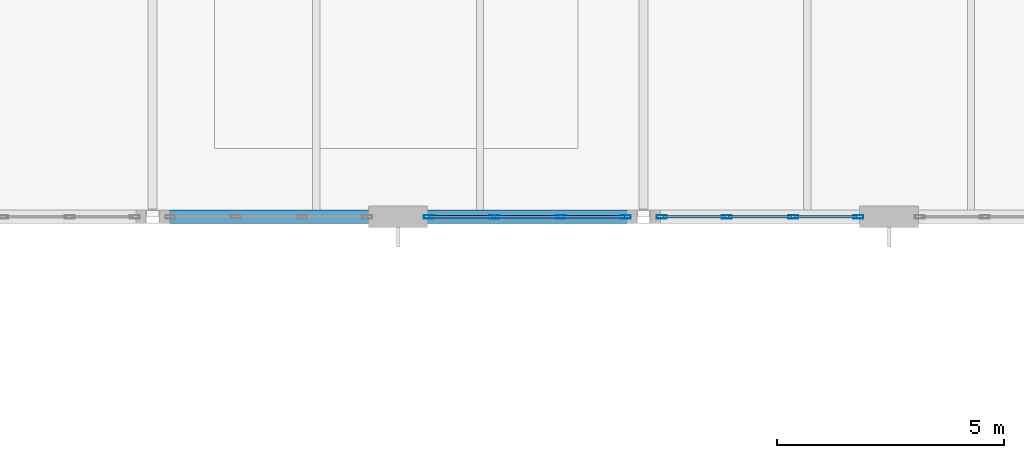
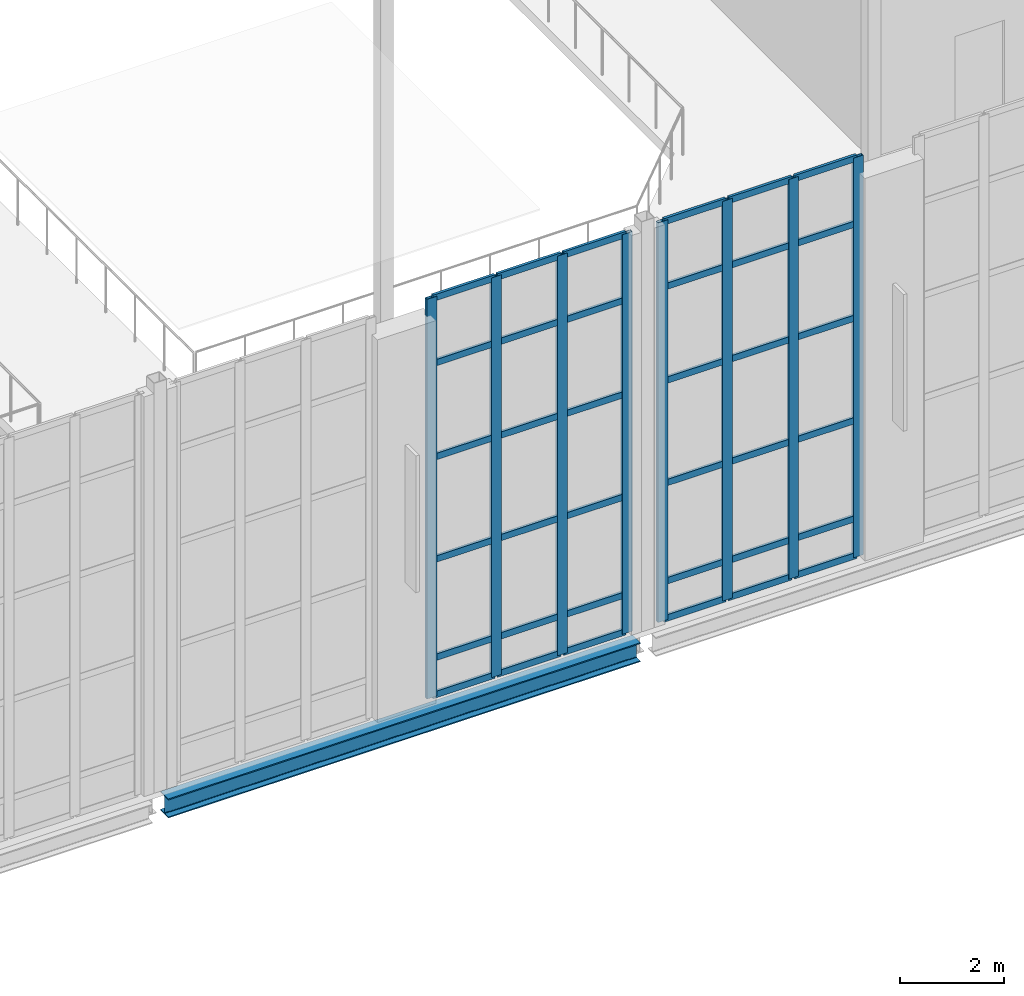
# One storey, part 30 of 100: 44 members, 1 beam, 2 elements without a shape of their own.
"""IFC4 building model written with IfcOpenShell, lengths in metres."""

from ifc_helpers import new_model, si_unit, direction, frame, origin, origin_2d, place, context, subcontext, project, spatial, hollow_rectangle, i_section, extrude, material, layer, layer_set, material_profile, profile_set, type_object, element, aggregate, save


model = new_model("IFC4")

# Units and contexts
model_context = context("Model", 3, precision=1e-05, world=origin(), true_north=direction((0.0, 1.0)))
body_context = subcontext(model_context, "Body", "Model", "MODEL_VIEW")
ifc_project = project(units=[si_unit("LENGTHUNIT", "METRE"), si_unit("AREAUNIT", "SQUARE_METRE"), si_unit("VOLUMEUNIT", "CUBIC_METRE"), si_unit("PLANEANGLEUNIT", "RADIAN"), si_unit("MASSUNIT", "GRAM", prefix="KILO")], contexts=[model_context])

# Site, building, storey
site_placement = place(None, origin())
site = spatial("IfcSite", under=ifc_project, at=site_placement, CompositionType="ELEMENT")
building_placement = place(site_placement, origin())
building = spatial("IfcBuilding", under=site, at=building_placement, Name="Tasgan Crest Museum", CompositionType="ELEMENT")
storey_placement = place(building_placement, frame((0.0, 0.0, 14.39990234375)))
storey = spatial("IfcBuildingStorey", under=building, at=storey_placement, Name="L03", CompositionType="ELEMENT", Elevation=14.39990234375)

# Beam
ifc_material_1 = material(Name="Steel S355J2", Category="steel")
ifc_material_profile_1 = material_profile(ifc_material_1, i_section(OverallWidth=0.300048828125, OverallDepth=0.449951171875, WebThickness=0.013916015625, FlangeThickness=0.02587890625, FilletRadius=0.027099609375, at=origin_2d()), Name="HEB 450")
ifc_profile_set_1 = profile_set([ifc_material_profile_1], Name="Steel S355J2")
beam_type = type_object("IfcBeamType", Name="BM-G-HEB450", PredefinedType="BEAM", material=ifc_profile_set_1)
beam_placement = place(storey_placement, frame((75.773681640625, 40.0, -0.46484375), z_axis=(1.0, 0.0, 0.0), x_axis=(0.0, 1.0, 0.0)))
element("IfcBeam", 1, at=beam_placement, inside=storey, type_object=beam_type, Name="Girder L03 E 75.6-86.4", PredefinedType="BEAM", context=body_context, shape_type="SweptSolid", body=[
    extrude(i_section(OverallWidth=0.300048828125, OverallDepth=0.449951171875, WebThickness=0.013916015625, FlangeThickness=0.02587890625, FilletRadius=0.027099609375, at=origin_2d()), origin(), (0.0, 0.0, 1.0), 10.45263671875),
])

# Curtain wall, members
ifc_material_2 = material(Name="Triple-Glazed Aluminium Curtain Wall", Category="aluminium")
ifc_layer = layer(ifc_material_2, 0.179931640625, Name="CW-DRUM-X-96")
ifc_layer_set = layer_set([ifc_layer], Name="Triple-Glazed Aluminium Curtain Wall")
curtain_wall_type = type_object("IfcCurtainWallType", Name="CW-DRUM-X-96", PredefinedType="NOTDEFINED", material=ifc_layer_set)
curtain_wall_1_placement = place(storey_placement, origin())
curtain_wall_1 = element("IfcCurtainWall", 2, at=curtain_wall_1_placement, inside=storey, type_object=curtain_wall_type, Name="Curtain wall L03 150", PredefinedType="NOTDEFINED")
ifc_material_3 = material(Name="Anodised Aluminium", Category="aluminium")
ifc_material_profile_2 = material_profile(ifc_material_3, hollow_rectangle(XDim=0.074951171875, YDim=0.219970703125, WallThickness=0.006103515625, at=origin_2d()), Name="ALU MULLION 220x75x6")
ifc_profile_set_2 = profile_set([ifc_material_profile_2], Name="Anodised Aluminium")
member_type_1 = type_object("IfcMemberType", Name="CW-MULLION-220", PredefinedType="MULLION", material=ifc_profile_set_2)
member_1_placement = place(storey_placement, frame((81.675048828125, 40.0, 0.0), z_axis=(0.0, 0.0, 1.0), x_axis=(0.0, 1.0, 0.0)))
member_1 = element("IfcMember", 3, at=member_1_placement, type_object=member_type_1, Name="CW06 mullion 1", PredefinedType="MULLION", context=body_context, shape_type="SweptSolid", body=[
    extrude(hollow_rectangle(XDim=0.074951171875, YDim=0.219970703125, WallThickness=0.006103515625, at=origin_2d()), origin(), (0.0, 0.0, 1.0), 9.360107421875),
])
member_2_placement = place(storey_placement, frame((83.1083984375, 40.0, 0.0), z_axis=(0.0, 0.0, 1.0), x_axis=(0.0, 1.0, 0.0)))
member_2 = element("IfcMember", 4, at=member_2_placement, type_object=member_type_1, Name="CW06 mullion 2", PredefinedType="MULLION", context=body_context, shape_type="SweptSolid", body=[
    extrude(hollow_rectangle(XDim=0.074951171875, YDim=0.219970703125, WallThickness=0.006103515625, at=origin_2d()), origin(), (0.0, 0.0, 1.0), 9.360107421875),
])
member_3_placement = place(storey_placement, frame((84.57177734375, 40.0, 0.0), z_axis=(0.0, 0.0, 1.0), x_axis=(0.0, 1.0, 0.0)))
member_3 = element("IfcMember", 5, at=member_3_placement, type_object=member_type_1, Name="CW06 mullion 3", PredefinedType="MULLION", context=body_context, shape_type="SweptSolid", body=[
    extrude(hollow_rectangle(XDim=0.074951171875, YDim=0.219970703125, WallThickness=0.006103515625, at=origin_2d()), origin(), (0.0, 0.0, 1.0), 9.360107421875),
])
member_4_placement = place(storey_placement, frame((86.0048828125, 40.0, 0.0), z_axis=(0.0, 0.0, 1.0), x_axis=(0.0, 1.0, 0.0)))
member_4 = element("IfcMember", 6, at=member_4_placement, type_object=member_type_1, Name="CW06 mullion 4", PredefinedType="MULLION", context=body_context, shape_type="SweptSolid", body=[
    extrude(hollow_rectangle(XDim=0.074951171875, YDim=0.219970703125, WallThickness=0.006103515625, at=origin_2d()), origin(), (0.0, 0.0, 1.0), 9.360107421875),
])

curtain_wall_2_placement = place(storey_placement, origin())
curtain_wall_2 = element("IfcCurtainWall", 7, at=curtain_wall_2_placement, inside=storey, type_object=curtain_wall_type, Name="Curtain wall L03 151", PredefinedType="NOTDEFINED")
member_5_placement = place(storey_placement, frame((86.794921875, 40.0, 0.0), z_axis=(0.0, 0.0, 1.0), x_axis=(0.0, 1.0, 0.0)))
member_5 = element("IfcMember", 8, at=member_5_placement, type_object=member_type_1, Name="CW06 mullion 1", PredefinedType="MULLION", context=body_context, shape_type="SweptSolid", body=[
    extrude(hollow_rectangle(XDim=0.074951171875, YDim=0.219970703125, WallThickness=0.006103515625, at=origin_2d()), origin(), (0.0, 0.0, 1.0), 9.360107421875),
])
member_6_placement = place(storey_placement, frame((88.228271484375, 40.0, 0.0), z_axis=(0.0, 0.0, 1.0), x_axis=(0.0, 1.0, 0.0)))
member_6 = element("IfcMember", 9, at=member_6_placement, type_object=member_type_1, Name="CW06 mullion 2", PredefinedType="MULLION", context=body_context, shape_type="SweptSolid", body=[
    extrude(hollow_rectangle(XDim=0.074951171875, YDim=0.219970703125, WallThickness=0.006103515625, at=origin_2d()), origin(), (0.0, 0.0, 1.0), 9.360107421875),
])
member_7_placement = place(storey_placement, frame((89.691650390625, 40.0, 0.0), z_axis=(0.0, 0.0, 1.0), x_axis=(0.0, 1.0, 0.0)))
member_7 = element("IfcMember", 10, at=member_7_placement, type_object=member_type_1, Name="CW06 mullion 3", PredefinedType="MULLION", context=body_context, shape_type="SweptSolid", body=[
    extrude(hollow_rectangle(XDim=0.074951171875, YDim=0.219970703125, WallThickness=0.006103515625, at=origin_2d()), origin(), (0.0, 0.0, 1.0), 9.360107421875),
])
member_8_placement = place(storey_placement, frame((91.125, 40.0, 0.0), z_axis=(0.0, 0.0, 1.0), x_axis=(0.0, 1.0, 0.0)))
member_8 = element("IfcMember", 11, at=member_8_placement, type_object=member_type_1, Name="CW06 mullion 4", PredefinedType="MULLION", context=body_context, shape_type="SweptSolid", body=[
    extrude(hollow_rectangle(XDim=0.074951171875, YDim=0.219970703125, WallThickness=0.006103515625, at=origin_2d()), origin(), (0.0, 0.0, 1.0), 9.360107421875),
])

# Member
ifc_material_4 = material(Name="Anodised Aluminium", Category="aluminium")
ifc_material_profile_3 = material_profile(ifc_material_4, hollow_rectangle(XDim=0.06005859375, YDim=0.14990234375, WallThickness=0.0048828125, at=origin_2d()), Name="ALU TRANSOM 150x60x5")
ifc_profile_set_3 = profile_set([ifc_material_profile_3], Name="Anodised Aluminium")
member_type_2 = type_object("IfcMemberType", Name="CW-TRANSOM-150", PredefinedType="USERDEFINED", material=ifc_profile_set_3)
member_9_placement = place(storey_placement, frame((81.705078125, 40.0, 0.030029296875), z_axis=(1.0, 0.0, 0.0), x_axis=(0.0, 1.0, 0.0)))
member_9 = element("IfcMember", 12, at=member_9_placement, type_object=member_type_2, Name="CW06 transom 1.1", ObjectType="TRANSOM", PredefinedType="USERDEFINED", context=body_context, shape_type="SweptSolid", body=[
    extrude(hollow_rectangle(XDim=0.06005859375, YDim=0.14990234375, WallThickness=0.0048828125, at=origin_2d()), origin(), (0.0, 0.0, 1.0), 1.373291015625),
])

member_10_placement = place(storey_placement, frame((81.705078125, 40.0, 0.900146484375), z_axis=(1.0, 0.0, 0.0), x_axis=(0.0, 1.0, 0.0)))
member_10 = element("IfcMember", 13, at=member_10_placement, type_object=member_type_2, Name="CW06 transom 1.2", ObjectType="TRANSOM", PredefinedType="USERDEFINED", context=body_context, shape_type="SweptSolid", body=[
    extrude(hollow_rectangle(XDim=0.06005859375, YDim=0.14990234375, WallThickness=0.0048828125, at=origin_2d()), origin(), (0.0, 0.0, 1.0), 1.373291015625),
])

member_11_placement = place(storey_placement, frame((81.705078125, 40.0, 3.2001953125), z_axis=(1.0, 0.0, 0.0), x_axis=(0.0, 1.0, 0.0)))
member_11 = element("IfcMember", 14, at=member_11_placement, type_object=member_type_2, Name="CW06 transom 1.3", ObjectType="TRANSOM", PredefinedType="USERDEFINED", context=body_context, shape_type="SweptSolid", body=[
    extrude(hollow_rectangle(XDim=0.06005859375, YDim=0.14990234375, WallThickness=0.0048828125, at=origin_2d()), origin(), (0.0, 0.0, 1.0), 1.373291015625),
])

member_12_placement = place(storey_placement, frame((81.705078125, 40.0, 5.60009765625), z_axis=(1.0, 0.0, 0.0), x_axis=(0.0, 1.0, 0.0)))
member_12 = element("IfcMember", 15, at=member_12_placement, type_object=member_type_2, Name="CW06 transom 1.4", ObjectType="TRANSOM", PredefinedType="USERDEFINED", context=body_context, shape_type="SweptSolid", body=[
    extrude(hollow_rectangle(XDim=0.06005859375, YDim=0.14990234375, WallThickness=0.0048828125, at=origin_2d()), origin(), (0.0, 0.0, 1.0), 1.373291015625),
])

member_13_placement = place(storey_placement, frame((81.705078125, 40.0, 7.800048828125), z_axis=(1.0, 0.0, 0.0), x_axis=(0.0, 1.0, 0.0)))
member_13 = element("IfcMember", 16, at=member_13_placement, type_object=member_type_2, Name="CW06 transom 1.5", ObjectType="TRANSOM", PredefinedType="USERDEFINED", context=body_context, shape_type="SweptSolid", body=[
    extrude(hollow_rectangle(XDim=0.06005859375, YDim=0.14990234375, WallThickness=0.0048828125, at=origin_2d()), origin(), (0.0, 0.0, 1.0), 1.373291015625),
])

member_14_placement = place(storey_placement, frame((81.705078125, 40.0, 9.330078125), z_axis=(1.0, 0.0, 0.0), x_axis=(0.0, 1.0, 0.0)))
member_14 = element("IfcMember", 17, at=member_14_placement, type_object=member_type_2, Name="CW06 transom 1.6", ObjectType="TRANSOM", PredefinedType="USERDEFINED", context=body_context, shape_type="SweptSolid", body=[
    extrude(hollow_rectangle(XDim=0.06005859375, YDim=0.14990234375, WallThickness=0.0048828125, at=origin_2d()), origin(), (0.0, 0.0, 1.0), 1.373291015625),
])

member_15_placement = place(storey_placement, frame((83.138427734375, 40.0, 0.030029296875), z_axis=(1.0, 0.0, 0.0), x_axis=(0.0, 1.0, 0.0)))
member_15 = element("IfcMember", 18, at=member_15_placement, type_object=member_type_2, Name="CW06 transom 2.1", ObjectType="TRANSOM", PredefinedType="USERDEFINED", context=body_context, shape_type="SweptSolid", body=[
    extrude(hollow_rectangle(XDim=0.06005859375, YDim=0.14990234375, WallThickness=0.0048828125, at=origin_2d()), origin(), (0.0, 0.0, 1.0), 1.4033203125),
])

member_16_placement = place(storey_placement, frame((83.138427734375, 40.0, 0.900146484375), z_axis=(1.0, 0.0, 0.0), x_axis=(0.0, 1.0, 0.0)))
member_16 = element("IfcMember", 19, at=member_16_placement, type_object=member_type_2, Name="CW06 transom 2.2", ObjectType="TRANSOM", PredefinedType="USERDEFINED", context=body_context, shape_type="SweptSolid", body=[
    extrude(hollow_rectangle(XDim=0.06005859375, YDim=0.14990234375, WallThickness=0.0048828125, at=origin_2d()), origin(), (0.0, 0.0, 1.0), 1.4033203125),
])

member_17_placement = place(storey_placement, frame((83.138427734375, 40.0, 3.2001953125), z_axis=(1.0, 0.0, 0.0), x_axis=(0.0, 1.0, 0.0)))
member_17 = element("IfcMember", 20, at=member_17_placement, type_object=member_type_2, Name="CW06 transom 2.3", ObjectType="TRANSOM", PredefinedType="USERDEFINED", context=body_context, shape_type="SweptSolid", body=[
    extrude(hollow_rectangle(XDim=0.06005859375, YDim=0.14990234375, WallThickness=0.0048828125, at=origin_2d()), origin(), (0.0, 0.0, 1.0), 1.4033203125),
])

member_18_placement = place(storey_placement, frame((83.138427734375, 40.0, 5.60009765625), z_axis=(1.0, 0.0, 0.0), x_axis=(0.0, 1.0, 0.0)))
member_18 = element("IfcMember", 21, at=member_18_placement, type_object=member_type_2, Name="CW06 transom 2.4", ObjectType="TRANSOM", PredefinedType="USERDEFINED", context=body_context, shape_type="SweptSolid", body=[
    extrude(hollow_rectangle(XDim=0.06005859375, YDim=0.14990234375, WallThickness=0.0048828125, at=origin_2d()), origin(), (0.0, 0.0, 1.0), 1.4033203125),
])

member_19_placement = place(storey_placement, frame((83.138427734375, 40.0, 7.800048828125), z_axis=(1.0, 0.0, 0.0), x_axis=(0.0, 1.0, 0.0)))
member_19 = element("IfcMember", 22, at=member_19_placement, type_object=member_type_2, Name="CW06 transom 2.5", ObjectType="TRANSOM", PredefinedType="USERDEFINED", context=body_context, shape_type="SweptSolid", body=[
    extrude(hollow_rectangle(XDim=0.06005859375, YDim=0.14990234375, WallThickness=0.0048828125, at=origin_2d()), origin(), (0.0, 0.0, 1.0), 1.4033203125),
])

member_20_placement = place(storey_placement, frame((83.138427734375, 40.0, 9.330078125), z_axis=(1.0, 0.0, 0.0), x_axis=(0.0, 1.0, 0.0)))
member_20 = element("IfcMember", 23, at=member_20_placement, type_object=member_type_2, Name="CW06 transom 2.6", ObjectType="TRANSOM", PredefinedType="USERDEFINED", context=body_context, shape_type="SweptSolid", body=[
    extrude(hollow_rectangle(XDim=0.06005859375, YDim=0.14990234375, WallThickness=0.0048828125, at=origin_2d()), origin(), (0.0, 0.0, 1.0), 1.4033203125),
])

member_21_placement = place(storey_placement, frame((84.6015625, 40.0, 0.030029296875), z_axis=(1.0, 0.0, 0.0), x_axis=(0.0, 1.0, 0.0)))
member_21 = element("IfcMember", 24, at=member_21_placement, type_object=member_type_2, Name="CW06 transom 3.1", ObjectType="TRANSOM", PredefinedType="USERDEFINED", context=body_context, shape_type="SweptSolid", body=[
    extrude(hollow_rectangle(XDim=0.06005859375, YDim=0.14990234375, WallThickness=0.0048828125, at=origin_2d()), origin(), (0.0, 0.0, 1.0), 1.37353515625),
])

member_22_placement = place(storey_placement, frame((84.6015625, 40.0, 0.900146484375), z_axis=(1.0, 0.0, 0.0), x_axis=(0.0, 1.0, 0.0)))
member_22 = element("IfcMember", 25, at=member_22_placement, type_object=member_type_2, Name="CW06 transom 3.2", ObjectType="TRANSOM", PredefinedType="USERDEFINED", context=body_context, shape_type="SweptSolid", body=[
    extrude(hollow_rectangle(XDim=0.06005859375, YDim=0.14990234375, WallThickness=0.0048828125, at=origin_2d()), origin(), (0.0, 0.0, 1.0), 1.37353515625),
])

member_23_placement = place(storey_placement, frame((84.6015625, 40.0, 3.2001953125), z_axis=(1.0, 0.0, 0.0), x_axis=(0.0, 1.0, 0.0)))
member_23 = element("IfcMember", 26, at=member_23_placement, type_object=member_type_2, Name="CW06 transom 3.3", ObjectType="TRANSOM", PredefinedType="USERDEFINED", context=body_context, shape_type="SweptSolid", body=[
    extrude(hollow_rectangle(XDim=0.06005859375, YDim=0.14990234375, WallThickness=0.0048828125, at=origin_2d()), origin(), (0.0, 0.0, 1.0), 1.37353515625),
])

member_24_placement = place(storey_placement, frame((84.6015625, 40.0, 5.60009765625), z_axis=(1.0, 0.0, 0.0), x_axis=(0.0, 1.0, 0.0)))
member_24 = element("IfcMember", 27, at=member_24_placement, type_object=member_type_2, Name="CW06 transom 3.4", ObjectType="TRANSOM", PredefinedType="USERDEFINED", context=body_context, shape_type="SweptSolid", body=[
    extrude(hollow_rectangle(XDim=0.06005859375, YDim=0.14990234375, WallThickness=0.0048828125, at=origin_2d()), origin(), (0.0, 0.0, 1.0), 1.37353515625),
])

member_25_placement = place(storey_placement, frame((84.6015625, 40.0, 7.800048828125), z_axis=(1.0, 0.0, 0.0), x_axis=(0.0, 1.0, 0.0)))
member_25 = element("IfcMember", 28, at=member_25_placement, type_object=member_type_2, Name="CW06 transom 3.5", ObjectType="TRANSOM", PredefinedType="USERDEFINED", context=body_context, shape_type="SweptSolid", body=[
    extrude(hollow_rectangle(XDim=0.06005859375, YDim=0.14990234375, WallThickness=0.0048828125, at=origin_2d()), origin(), (0.0, 0.0, 1.0), 1.37353515625),
])

member_26_placement = place(storey_placement, frame((84.6015625, 40.0, 9.330078125), z_axis=(1.0, 0.0, 0.0), x_axis=(0.0, 1.0, 0.0)))
member_26 = element("IfcMember", 29, at=member_26_placement, type_object=member_type_2, Name="CW06 transom 3.6", ObjectType="TRANSOM", PredefinedType="USERDEFINED", context=body_context, shape_type="SweptSolid", body=[
    extrude(hollow_rectangle(XDim=0.06005859375, YDim=0.14990234375, WallThickness=0.0048828125, at=origin_2d()), origin(), (0.0, 0.0, 1.0), 1.37353515625),
])

aggregate(curtain_wall_1, [member_1, member_2, member_3, member_4, member_9, member_10, member_11, member_12, member_13, member_14, member_15, member_16, member_17, member_18, member_19, member_20, member_21, member_22, member_23, member_24, member_25, member_26])

member_27_placement = place(storey_placement, frame((86.824951171875, 40.0, 0.030029296875), z_axis=(1.0, 0.0, 0.0), x_axis=(0.0, 1.0, 0.0)))
member_27 = element("IfcMember", 30, at=member_27_placement, type_object=member_type_2, Name="CW06 transom 1.1", ObjectType="TRANSOM", PredefinedType="USERDEFINED", context=body_context, shape_type="SweptSolid", body=[
    extrude(hollow_rectangle(XDim=0.06005859375, YDim=0.14990234375, WallThickness=0.0048828125, at=origin_2d()), origin(), (0.0, 0.0, 1.0), 1.373291015625),
])

member_28_placement = place(storey_placement, frame((86.824951171875, 40.0, 0.900146484375), z_axis=(1.0, 0.0, 0.0), x_axis=(0.0, 1.0, 0.0)))
member_28 = element("IfcMember", 31, at=member_28_placement, type_object=member_type_2, Name="CW06 transom 1.2", ObjectType="TRANSOM", PredefinedType="USERDEFINED", context=body_context, shape_type="SweptSolid", body=[
    extrude(hollow_rectangle(XDim=0.06005859375, YDim=0.14990234375, WallThickness=0.0048828125, at=origin_2d()), origin(), (0.0, 0.0, 1.0), 1.373291015625),
])

member_29_placement = place(storey_placement, frame((86.824951171875, 40.0, 3.2001953125), z_axis=(1.0, 0.0, 0.0), x_axis=(0.0, 1.0, 0.0)))
member_29 = element("IfcMember", 32, at=member_29_placement, type_object=member_type_2, Name="CW06 transom 1.3", ObjectType="TRANSOM", PredefinedType="USERDEFINED", context=body_context, shape_type="SweptSolid", body=[
    extrude(hollow_rectangle(XDim=0.06005859375, YDim=0.14990234375, WallThickness=0.0048828125, at=origin_2d()), origin(), (0.0, 0.0, 1.0), 1.373291015625),
])

member_30_placement = place(storey_placement, frame((86.824951171875, 40.0, 5.60009765625), z_axis=(1.0, 0.0, 0.0), x_axis=(0.0, 1.0, 0.0)))
member_30 = element("IfcMember", 33, at=member_30_placement, type_object=member_type_2, Name="CW06 transom 1.4", ObjectType="TRANSOM", PredefinedType="USERDEFINED", context=body_context, shape_type="SweptSolid", body=[
    extrude(hollow_rectangle(XDim=0.06005859375, YDim=0.14990234375, WallThickness=0.0048828125, at=origin_2d()), origin(), (0.0, 0.0, 1.0), 1.373291015625),
])

member_31_placement = place(storey_placement, frame((86.824951171875, 40.0, 7.800048828125), z_axis=(1.0, 0.0, 0.0), x_axis=(0.0, 1.0, 0.0)))
member_31 = element("IfcMember", 34, at=member_31_placement, type_object=member_type_2, Name="CW06 transom 1.5", ObjectType="TRANSOM", PredefinedType="USERDEFINED", context=body_context, shape_type="SweptSolid", body=[
    extrude(hollow_rectangle(XDim=0.06005859375, YDim=0.14990234375, WallThickness=0.0048828125, at=origin_2d()), origin(), (0.0, 0.0, 1.0), 1.373291015625),
])

member_32_placement = place(storey_placement, frame((86.824951171875, 40.0, 9.330078125), z_axis=(1.0, 0.0, 0.0), x_axis=(0.0, 1.0, 0.0)))
member_32 = element("IfcMember", 35, at=member_32_placement, type_object=member_type_2, Name="CW06 transom 1.6", ObjectType="TRANSOM", PredefinedType="USERDEFINED", context=body_context, shape_type="SweptSolid", body=[
    extrude(hollow_rectangle(XDim=0.06005859375, YDim=0.14990234375, WallThickness=0.0048828125, at=origin_2d()), origin(), (0.0, 0.0, 1.0), 1.373291015625),
])

member_33_placement = place(storey_placement, frame((88.25830078125, 40.0, 0.030029296875), z_axis=(1.0, 0.0, 0.0), x_axis=(0.0, 1.0, 0.0)))
member_33 = element("IfcMember", 36, at=member_33_placement, type_object=member_type_2, Name="CW06 transom 2.1", ObjectType="TRANSOM", PredefinedType="USERDEFINED", context=body_context, shape_type="SweptSolid", body=[
    extrude(hollow_rectangle(XDim=0.06005859375, YDim=0.14990234375, WallThickness=0.0048828125, at=origin_2d()), origin(), (0.0, 0.0, 1.0), 1.4033203125),
])

member_34_placement = place(storey_placement, frame((88.25830078125, 40.0, 0.900146484375), z_axis=(1.0, 0.0, 0.0), x_axis=(0.0, 1.0, 0.0)))
member_34 = element("IfcMember", 37, at=member_34_placement, type_object=member_type_2, Name="CW06 transom 2.2", ObjectType="TRANSOM", PredefinedType="USERDEFINED", context=body_context, shape_type="SweptSolid", body=[
    extrude(hollow_rectangle(XDim=0.06005859375, YDim=0.14990234375, WallThickness=0.0048828125, at=origin_2d()), origin(), (0.0, 0.0, 1.0), 1.4033203125),
])

member_35_placement = place(storey_placement, frame((88.25830078125, 40.0, 3.2001953125), z_axis=(1.0, 0.0, 0.0), x_axis=(0.0, 1.0, 0.0)))
member_35 = element("IfcMember", 38, at=member_35_placement, type_object=member_type_2, Name="CW06 transom 2.3", ObjectType="TRANSOM", PredefinedType="USERDEFINED", context=body_context, shape_type="SweptSolid", body=[
    extrude(hollow_rectangle(XDim=0.06005859375, YDim=0.14990234375, WallThickness=0.0048828125, at=origin_2d()), origin(), (0.0, 0.0, 1.0), 1.4033203125),
])

member_36_placement = place(storey_placement, frame((88.25830078125, 40.0, 5.60009765625), z_axis=(1.0, 0.0, 0.0), x_axis=(0.0, 1.0, 0.0)))
member_36 = element("IfcMember", 39, at=member_36_placement, type_object=member_type_2, Name="CW06 transom 2.4", ObjectType="TRANSOM", PredefinedType="USERDEFINED", context=body_context, shape_type="SweptSolid", body=[
    extrude(hollow_rectangle(XDim=0.06005859375, YDim=0.14990234375, WallThickness=0.0048828125, at=origin_2d()), origin(), (0.0, 0.0, 1.0), 1.4033203125),
])

member_37_placement = place(storey_placement, frame((88.25830078125, 40.0, 7.800048828125), z_axis=(1.0, 0.0, 0.0), x_axis=(0.0, 1.0, 0.0)))
member_37 = element("IfcMember", 40, at=member_37_placement, type_object=member_type_2, Name="CW06 transom 2.5", ObjectType="TRANSOM", PredefinedType="USERDEFINED", context=body_context, shape_type="SweptSolid", body=[
    extrude(hollow_rectangle(XDim=0.06005859375, YDim=0.14990234375, WallThickness=0.0048828125, at=origin_2d()), origin(), (0.0, 0.0, 1.0), 1.4033203125),
])

member_38_placement = place(storey_placement, frame((88.25830078125, 40.0, 9.330078125), z_axis=(1.0, 0.0, 0.0), x_axis=(0.0, 1.0, 0.0)))
member_38 = element("IfcMember", 41, at=member_38_placement, type_object=member_type_2, Name="CW06 transom 2.6", ObjectType="TRANSOM", PredefinedType="USERDEFINED", context=body_context, shape_type="SweptSolid", body=[
    extrude(hollow_rectangle(XDim=0.06005859375, YDim=0.14990234375, WallThickness=0.0048828125, at=origin_2d()), origin(), (0.0, 0.0, 1.0), 1.4033203125),
])

member_39_placement = place(storey_placement, frame((89.7216796875, 40.0, 0.030029296875), z_axis=(1.0, 0.0, 0.0), x_axis=(0.0, 1.0, 0.0)))
member_39 = element("IfcMember", 42, at=member_39_placement, type_object=member_type_2, Name="CW06 transom 3.1", ObjectType="TRANSOM", PredefinedType="USERDEFINED", context=body_context, shape_type="SweptSolid", body=[
    extrude(hollow_rectangle(XDim=0.06005859375, YDim=0.14990234375, WallThickness=0.0048828125, at=origin_2d()), origin(), (0.0, 0.0, 1.0), 1.373291015625),
])

member_40_placement = place(storey_placement, frame((89.7216796875, 40.0, 0.900146484375), z_axis=(1.0, 0.0, 0.0), x_axis=(0.0, 1.0, 0.0)))
member_40 = element("IfcMember", 43, at=member_40_placement, type_object=member_type_2, Name="CW06 transom 3.2", ObjectType="TRANSOM", PredefinedType="USERDEFINED", context=body_context, shape_type="SweptSolid", body=[
    extrude(hollow_rectangle(XDim=0.06005859375, YDim=0.14990234375, WallThickness=0.0048828125, at=origin_2d()), origin(), (0.0, 0.0, 1.0), 1.373291015625),
])

member_41_placement = place(storey_placement, frame((89.7216796875, 40.0, 3.2001953125), z_axis=(1.0, 0.0, 0.0), x_axis=(0.0, 1.0, 0.0)))
member_41 = element("IfcMember", 44, at=member_41_placement, type_object=member_type_2, Name="CW06 transom 3.3", ObjectType="TRANSOM", PredefinedType="USERDEFINED", context=body_context, shape_type="SweptSolid", body=[
    extrude(hollow_rectangle(XDim=0.06005859375, YDim=0.14990234375, WallThickness=0.0048828125, at=origin_2d()), origin(), (0.0, 0.0, 1.0), 1.373291015625),
])

member_42_placement = place(storey_placement, frame((89.7216796875, 40.0, 5.60009765625), z_axis=(1.0, 0.0, 0.0), x_axis=(0.0, 1.0, 0.0)))
member_42 = element("IfcMember", 45, at=member_42_placement, type_object=member_type_2, Name="CW06 transom 3.4", ObjectType="TRANSOM", PredefinedType="USERDEFINED", context=body_context, shape_type="SweptSolid", body=[
    extrude(hollow_rectangle(XDim=0.06005859375, YDim=0.14990234375, WallThickness=0.0048828125, at=origin_2d()), origin(), (0.0, 0.0, 1.0), 1.373291015625),
])

member_43_placement = place(storey_placement, frame((89.7216796875, 40.0, 7.800048828125), z_axis=(1.0, 0.0, 0.0), x_axis=(0.0, 1.0, 0.0)))
member_43 = element("IfcMember", 46, at=member_43_placement, type_object=member_type_2, Name="CW06 transom 3.5", ObjectType="TRANSOM", PredefinedType="USERDEFINED", context=body_context, shape_type="SweptSolid", body=[
    extrude(hollow_rectangle(XDim=0.06005859375, YDim=0.14990234375, WallThickness=0.0048828125, at=origin_2d()), origin(), (0.0, 0.0, 1.0), 1.373291015625),
])

member_44_placement = place(storey_placement, frame((89.7216796875, 40.0, 9.330078125), z_axis=(1.0, 0.0, 0.0), x_axis=(0.0, 1.0, 0.0)))
member_44 = element("IfcMember", 47, at=member_44_placement, type_object=member_type_2, Name="CW06 transom 3.6", ObjectType="TRANSOM", PredefinedType="USERDEFINED", context=body_context, shape_type="SweptSolid", body=[
    extrude(hollow_rectangle(XDim=0.06005859375, YDim=0.14990234375, WallThickness=0.0048828125, at=origin_2d()), origin(), (0.0, 0.0, 1.0), 1.373291015625),
])

aggregate(curtain_wall_2, [member_5, member_6, member_7, member_8, member_27, member_28, member_29, member_30, member_31, member_32, member_33, member_34, member_35, member_36, member_37, member_38, member_39, member_40, member_41, member_42, member_43, member_44])

save(model, "model.ifc")
